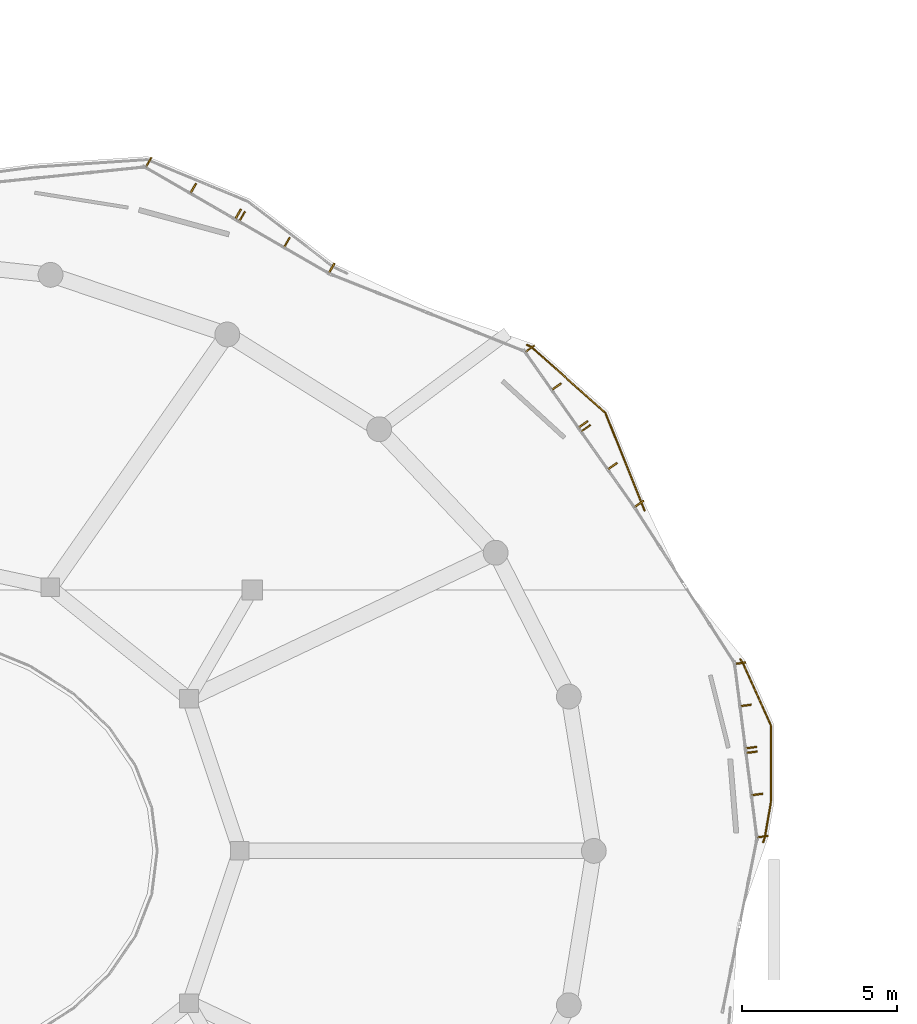
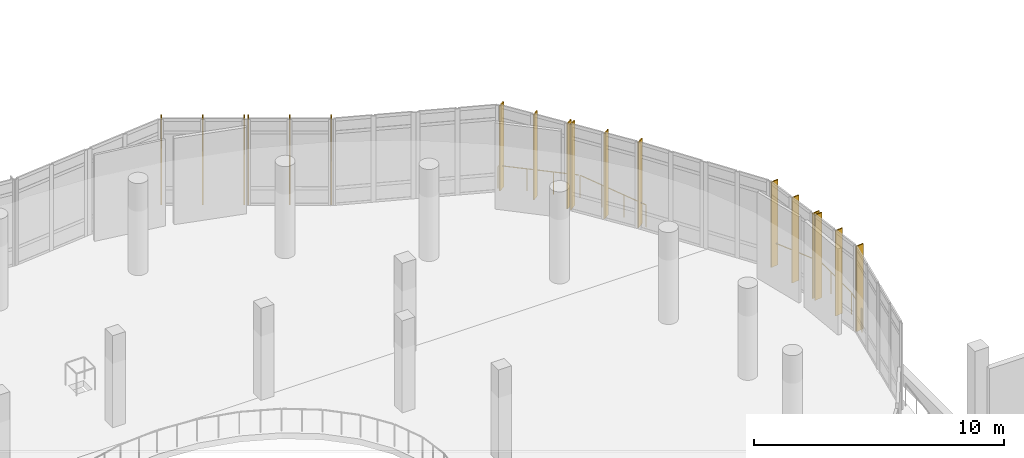
# One storey, part 45 of 46: 18 shading devices, 2 railings.
"""IFC4 building model written with IfcOpenShell, lengths in metres."""

from ifc_helpers import new_model, si_unit, derived_unit, direction, frame, origin, origin_2d, place, context, subcontext, project, spatial, rectangle, circle, extrude, material, type_object, element, save


model = new_model("IFC4")

# Units and contexts
model_context = context("Model", 3, precision=1e-05, world=origin(), true_north=direction((0.0, 1.0)))
body_context = subcontext(model_context, "Body", "Model", "MODEL_VIEW")
ifc_project = project(units=[si_unit("LENGTHUNIT", "METRE"), si_unit("AREAUNIT", "SQUARE_METRE"), si_unit("VOLUMEUNIT", "CUBIC_METRE"), si_unit("PLANEANGLEUNIT", "RADIAN"), si_unit("MASSUNIT", "GRAM", prefix="KILO"), derived_unit("THERMALTRANSMITTANCEUNIT", [(si_unit("POWERUNIT", "WATT"), 1), (si_unit("LENGTHUNIT", "METRE"), -2), (si_unit("THERMODYNAMICTEMPERATUREUNIT", "KELVIN"), -1)])], contexts=[model_context])

# Site, building, storey
site_placement = place(None, origin())
site = spatial("IfcSite", under=ifc_project, at=site_placement, CompositionType="ELEMENT")
building_placement = place(site_placement, origin())
building = spatial("IfcBuilding", under=site, at=building_placement, Name="Elbkamm Science Centre", CompositionType="ELEMENT")
storey_placement = place(building_placement, frame((0.0, 0.0, 9.89990234375)))
storey = spatial("IfcBuildingStorey", under=building, at=storey_placement, Name="L02", CompositionType="ELEMENT", Elevation=9.89990234375)

# Railings
ifc_material_1 = material(Name="Stainless steel EN 1.4401", Category="steel")
railing_type = type_object("IfcRailingType", Name="RAIL-EXT-GUARD-1100", PredefinedType="GUARDRAIL", material=ifc_material_1)
railing_1_placement = place(storey_placement, frame((84.449462890625, 83.487060546875, 0.0)))
element("IfcRailing", 1, at=railing_1_placement, inside=storey, type_object=railing_type, Name="L02 Slab Edge Perimeter Guard 055", PredefinedType="GUARDRAIL", context=body_context, shape_type="SweptSolid", body=[
    extrude(circle(Radius=0.02392578125, at=origin_2d()), frame((0.0, 0.0, 1.078125), z_axis=(0.945132544424, -0.326687118616, 0.0), x_axis=(0.326687118616, 0.945132544424, 0.0)), (0.0, 0.0, 1.0), 0.0888671875),
    extrude(circle(Radius=0.02392578125, at=origin_2d()), frame((0.134765625, -0.058837890625, 1.078125), z_axis=(0.746825047383, -0.665020562541, 0.0), x_axis=(0.665020562541, 0.746825047383, 0.0)), (0.0, 0.0, 1.0), 3.169189453125),
    extrude(circle(Radius=0.02392578125, at=origin_2d()), frame((2.53515625, -2.214111328125, 1.078125), z_axis=(0.3724856712, -0.928037943594, 0.0), x_axis=(0.928037943594, 0.3724856712, 0.0)), (0.0, 0.0, 1.0), 3.35205078125),
    extrude(circle(Radius=0.02001953125, at=origin_2d()), origin(), (0.0, 0.0, 1.0), 1.048095703125),
    extrude(circle(Radius=0.02001953125, at=origin_2d()), frame((0.1123046875, -0.038818359375, 0.0)), (0.0, 0.0, 1.0), 1.048095703125),
    extrude(circle(Radius=0.02001953125, at=origin_2d()), frame((0.916259765625, -0.754638671875, 0.0)), (0.0, 0.0, 1.0), 1.048095703125),
    extrude(circle(Radius=0.02001953125, at=origin_2d()), frame((1.719970703125, -1.470458984375, 0.0)), (0.0, 0.0, 1.0), 1.048095703125),
    extrude(circle(Radius=0.02001953125, at=origin_2d()), frame((2.52392578125, -2.186279296875, 0.0)), (0.0, 0.0, 1.0), 1.048095703125),
    extrude(circle(Radius=0.02001953125, at=origin_2d()), frame((2.94384765625, -3.232421875, 0.0)), (0.0, 0.0, 1.0), 1.048095703125),
    extrude(circle(Radius=0.02001953125, at=origin_2d()), frame((3.36376953125, -4.27880859375, 0.0)), (0.0, 0.0, 1.0), 1.048095703125),
    extrude(circle(Radius=0.02001953125, at=origin_2d()), frame((3.78369140625, -5.324951171875, 0.0)), (0.0, 0.0, 1.0), 1.048095703125),
])
railing_2_placement = place(storey_placement, frame((91.313720703125, 73.369140625, 0.0)))
element("IfcRailing", 2, at=railing_2_placement, inside=storey, type_object=railing_type, Name="L02 Slab Edge Perimeter Guard 056", PredefinedType="GUARDRAIL", context=body_context, shape_type="SweptSolid", body=[
    extrude(circle(Radius=0.02392578125, at=origin_2d()), frame((0.0, 0.0, 1.078125), z_axis=(0.634428353152, -0.772981671656, 0.0), x_axis=(0.772981671656, 0.634428353152, 0.0)), (0.0, 0.0, 1.0), 0.070556640625),
    extrude(circle(Radius=0.02392578125, at=origin_2d()), frame((0.076171875, -0.10498046875, 1.078125), z_axis=(0.411088255613, -0.911595549626, 0.0), x_axis=(0.911595549626, 0.411088255613, 0.0)), (0.0, 0.0, 1.0), 2.184326171875),
    extrude(circle(Radius=0.02392578125, at=origin_2d()), frame((0.986328125, -2.153564453125, 1.078125), z_axis=(0.0, -1.0, 0.0), x_axis=(1.0, 0.0, 0.0)), (0.0, 0.0, 1.0), 2.42236328125),
    extrude(circle(Radius=0.02392578125, at=origin_2d()), frame((0.981201171875, -4.635498046875, 1.078125), z_axis=(-0.170841461999, -0.985298530833, 0.0), x_axis=(0.985298530833, -0.170841461999, 0.0)), (0.0, 0.0, 1.0), 1.0947265625),
    extrude(circle(Radius=0.02392578125, at=origin_2d()), frame((0.779052734375, -5.77197265625, 1.078125), z_axis=(-0.33133416257, -0.94351347246, 0.0), x_axis=(0.94351347246, -0.33133416257, 0.0)), (0.0, 0.0, 1.0), 0.124755859375),
    extrude(circle(Radius=0.02001953125, at=origin_2d()), origin(), (0.0, 0.0, 1.0), 1.048095703125),
    extrude(circle(Radius=0.02001953125, at=origin_2d()), frame((0.063720703125, -0.07763671875, 0.0)), (0.0, 0.0, 1.0), 1.048095703125),
    extrude(circle(Radius=0.02001953125, at=origin_2d()), frame((0.52490234375, -1.1005859375, 0.0)), (0.0, 0.0, 1.0), 1.048095703125),
    extrude(circle(Radius=0.02001953125, at=origin_2d()), frame((0.986328125, -2.12353515625, 0.0)), (0.0, 0.0, 1.0), 1.048095703125),
    extrude(circle(Radius=0.02001953125, at=origin_2d()), frame((0.986328125, -2.950927734375, 0.0)), (0.0, 0.0, 1.0), 1.048095703125),
    extrude(circle(Radius=0.02001953125, at=origin_2d()), frame((0.986328125, -3.778564453125, 0.0)), (0.0, 0.0, 1.0), 1.048095703125),
    extrude(circle(Radius=0.02001953125, at=origin_2d()), frame((0.986328125, -4.60595703125, 0.0)), (0.0, 0.0, 1.0), 1.048095703125),
    extrude(circle(Radius=0.02001953125, at=origin_2d()), frame((0.7890625, -5.74365234375, 0.0)), (0.0, 0.0, 1.0), 1.048095703125),
    extrude(circle(Radius=0.02001953125, at=origin_2d()), frame((0.73779296875, -5.8896484375, 0.0)), (0.0, 0.0, 1.0), 1.048095703125),
])

# Shading devices
ifc_material_2 = material(Name="Terracotta-ochre powder-coated aluminium EN AW-6060", Category="masonry")
shading_device_type = type_object("IfcShadingDeviceType", Name="SHD-LOUVRE-420", PredefinedType="USERDEFINED", material=ifc_material_2)
for number, where, z_axis, x_axis, name in (
    (3, (92.0390625, 67.659423828125, 0.000244140625), (0.0, 0.0, 1.0), (0.99188046511, 0.127173672323, 0.0), "L02 Brise-Soleil Sunshade Fin 0030"),
    (4, (91.86474609375, 69.0185546875, 0.000244140625), (0.0, 0.0, 1.0), (0.99188046511, 0.127173672323, 0.0), "L02 Brise-Soleil Sunshade Fin 0031"),
    (5, (91.6904296875, 70.377685546875, 0.000244140625), (0.0, 0.0, 1.0), (0.99188046511, 0.127173672323, 0.0), "L02 Brise-Soleil Sunshade Fin 0032"),
    (6, (91.67138671875, 70.5263671875, 0.000244140625), (0.0, 0.0, 1.0), (0.99188046511, 0.127173672323, 0.0), "L02 Brise-Soleil Sunshade Fin 0033"),
    (7, (91.497314453125, 71.88525390625, 0.000244140625), (0.0, 0.0, 1.0), (0.99188046511, 0.127173672323, 0.0), "L02 Brise-Soleil Sunshade Fin 0034"),
    (8, (91.322998046875, 73.244384765625, 0.000244140625), (0.0, 0.0, 1.0), (0.99188046511, 0.127173672323, 0.0), "L02 Brise-Soleil Sunshade Fin 0035"),
    (9, (88.06298828125, 78.3759765625, 0.000244140625), (0.0, 0.0, 1.0), (0.817694842969, 0.575651929365, 0.0), "L02 Brise-Soleil Sunshade Fin 0036"),
    (10, (87.205078125, 79.594482421875, 0.000244140625), (0.0, 0.0, 1.0), (0.817694842969, 0.575651929365, 0.0), "L02 Brise-Soleil Sunshade Fin 0037"),
    (11, (86.347412109375, 80.812744140625, 0.000244140625), (0.0, 0.0, 1.0), (0.817694842969, 0.575651929365, 0.0), "L02 Brise-Soleil Sunshade Fin 0038"),
    (12, (86.260986328125, 80.935546875, 0.000244140625), (0.0, 0.0, 1.0), (0.817694842969, 0.575651929365, 0.0), "L02 Brise-Soleil Sunshade Fin 0039"),
    (13, (85.4033203125, 82.154052734375, 0.000244140625), (0.0, 0.0, 1.0), (0.817694842969, 0.575651929365, 0.0), "L02 Brise-Soleil Sunshade Fin 0040"),
    (14, (84.54541015625, 83.37255859375, 0.000244140625), (0.0, 0.0, 1.0), (0.817694842969, 0.575651929365, 0.0), "L02 Brise-Soleil Sunshade Fin 0041"),
    (15, (78.1630859375, 85.9658203125, 0.000244140625), (0.0, 0.0, 1.0), (0.500320403654, 0.865840339605, 0.0), "L02 Brise-Soleil Sunshade Fin 0042"),
    (16, (76.7216796875, 86.798583984375, 0.000244140625), (0.0, 0.0, 1.0), (0.500320403654, 0.865840339605, 0.0), "L02 Brise-Soleil Sunshade Fin 0043"),
    (17, (75.280029296875, 87.631591796875, 0.000244140625), (0.0, 0.0, 1.0), (0.500320403654, 0.865840339605, 0.0), "L02 Brise-Soleil Sunshade Fin 0044"),
    (18, (75.150390625, 87.706787109375, 0.000244140625), (0.0, 0.0, 1.0), (0.500320403654, 0.865840339605, 0.0), "L02 Brise-Soleil Sunshade Fin 0045"),
    (19, (73.708740234375, 88.539794921875, 0.000244140625), (0.0, 0.0, 1.0), (0.500320403654, 0.865840339605, 0.0), "L02 Brise-Soleil Sunshade Fin 0046"),
    (20, (72.26708984375, 89.372802734375, 0.000244140625), (0.0, 0.0, 1.0), (0.500320403654, 0.865840339605, 0.0), "L02 Brise-Soleil Sunshade Fin 0047"),
):
    element("IfcShadingDevice", number, at=place(storey_placement, frame(where, z_axis=z_axis, x_axis=x_axis)), inside=storey, type_object=shading_device_type, Name=name, ObjectType="LOUVRE", PredefinedType="USERDEFINED", context=body_context, shape_type="SweptSolid", body=[
        extrude(rectangle(XDim=0.35009765625, YDim=0.050048828125, at=origin_2d()), origin(), (0.0, 0.0, 1.0), 4.169921875),
    ])

save(model, "model.ifc")
